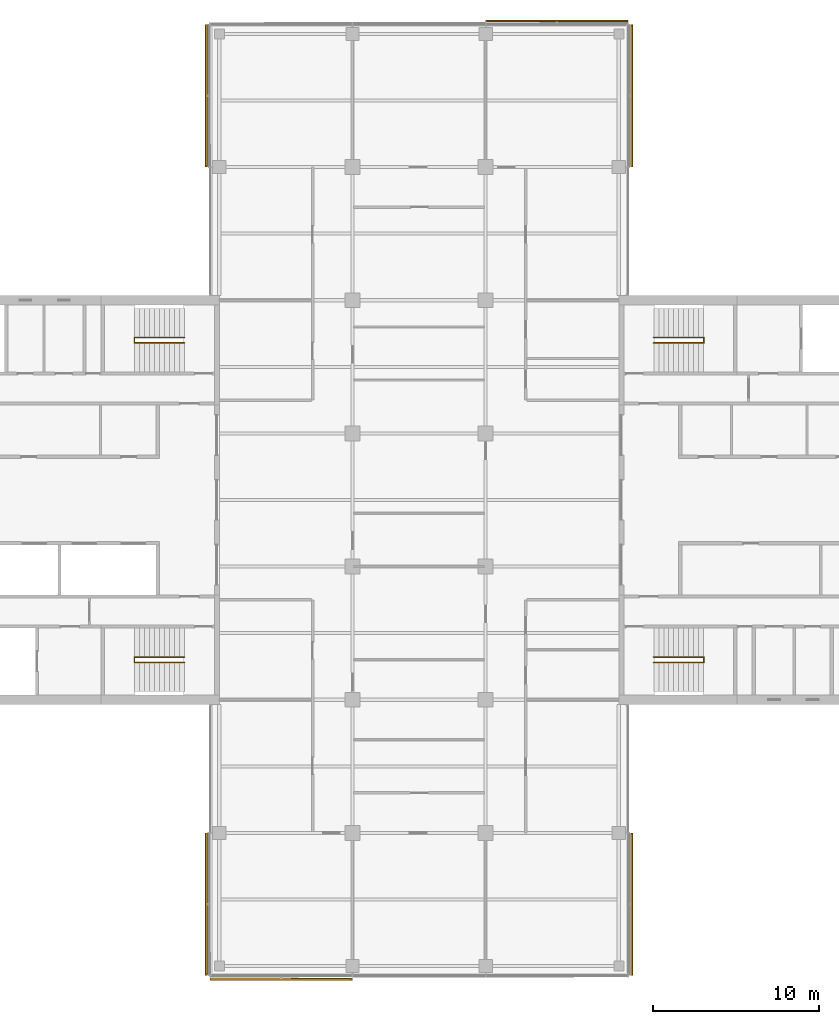
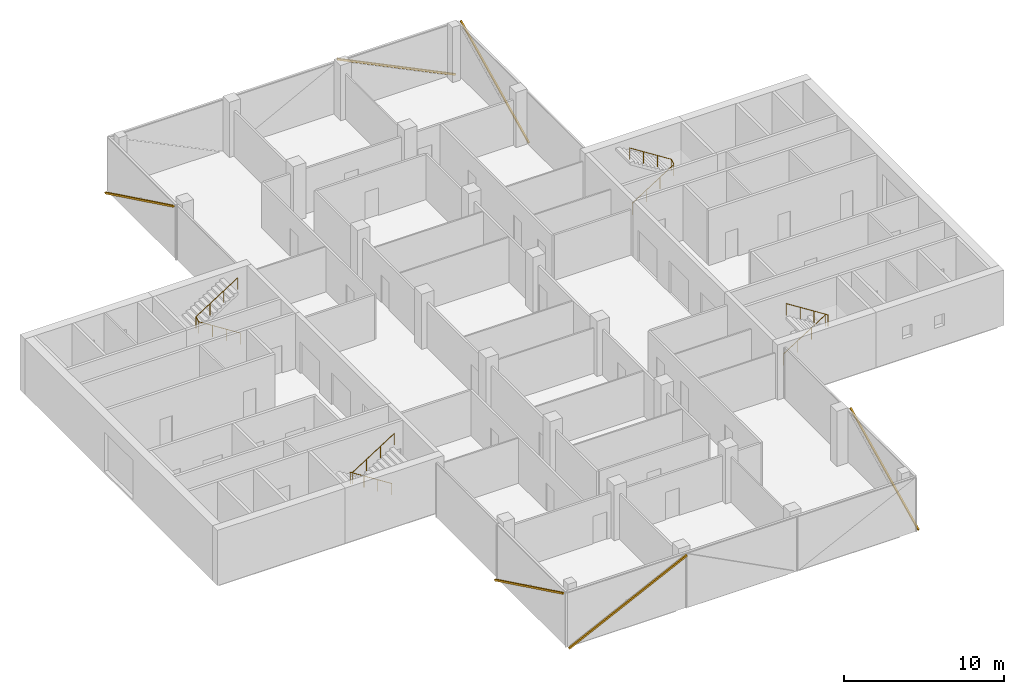
# One storey, part 15 of 15: 6 shading devices, 4 railings, 6 elements without a shape of their own.
"""IFC4 building model written with IfcOpenShell, lengths in metres."""

from ifc_helpers import new_model, si_unit, direction, frame, origin, origin_2d, place, context, subcontext, project, spatial, rectangle, circle, extrude, material, material_profile, profile_set, type_object, element, aggregate, save


model = new_model("IFC4")

# Units and contexts
model_context = context("Model", 3, precision=1e-05, world=origin(), true_north=direction((0.0, 1.0)))
body_context = subcontext(model_context, "Body", "Model", "MODEL_VIEW")
ifc_project = project(units=[si_unit("LENGTHUNIT", "METRE"), si_unit("AREAUNIT", "SQUARE_METRE"), si_unit("VOLUMEUNIT", "CUBIC_METRE"), si_unit("PLANEANGLEUNIT", "RADIAN"), si_unit("MASSUNIT", "GRAM", prefix="KILO")], contexts=[model_context])

# Site, building, storey
site_placement = place(None, origin())
site = spatial("IfcSite", under=ifc_project, at=site_placement, CompositionType="ELEMENT")
building_placement = place(site_placement, origin())
building = spatial("IfcBuilding", under=site, at=building_placement, Name="Crosswind Convention Tower", CompositionType="ELEMENT")
storey_placement = place(building_placement, frame((0.0, 0.0, 195.699951171875)))
storey = spatial("IfcBuildingStorey", under=building, at=storey_placement, Name="L41", CompositionType="ELEMENT", Elevation=195.699951171875)

# Railings
ifc_material_1 = material(Name="Stainless steel", Category="steel")
railing_type = type_object("IfcRailingType", Name="Stair handrail 900", PredefinedType="HANDRAIL", material=ifc_material_1)
railing_1_placement = place(storey_placement, frame((139.10009765625, 109.43994140625, 0.19091796875)))
element("IfcRailing", 1, at=railing_1_placement, inside=storey, type_object=railing_type, Name="Stair ST1 handrail L41", PredefinedType="HANDRAIL", context=body_context, shape_type="SweptSolid", body=[
    extrude(circle(Radius=0.02392578125, at=origin_2d()), frame((0.0, 0.0, 0.8759765625), z_axis=(0.843650179428, 0.0, 0.536893261973), x_axis=(0.0, 1.0, 0.0)), (0.0, 0.0, 1.0), 3.555908203125),
    extrude(circle(Radius=0.02392578125, at=origin_2d()), frame((3.0, 0.0, 2.78515625), z_axis=(0.0, 0.858819504967, 0.512278301208), x_axis=(-1.0, 0.0, 0.0)), (0.0, 0.0, 1.0), 0.372802734375),
    extrude(circle(Radius=0.02392578125, at=origin_2d()), frame((3.0, 0.320068359375, 2.97607421875), z_axis=(-0.843681277094, 0.0, 0.536844393359), x_axis=(0.0, -1.0, 0.0)), (0.0, 0.0, 1.0), 3.555908203125),
    extrude(circle(Radius=0.02099609375, at=origin_2d()), origin(), (0.0, 0.0, 1.0), 0.851806640625),
    extrude(circle(Radius=0.02099609375, at=origin_2d()), frame((1.0, 0.0, 0.636474609375)), (0.0, 0.0, 1.0), 0.851806640625),
    extrude(circle(Radius=0.02099609375, at=origin_2d()), frame((2.0, 0.0, 1.272705078125)), (0.0, 0.0, 1.0), 0.851806640625),
    extrude(circle(Radius=0.02099609375, at=origin_2d()), frame((3.0, 0.0, 1.9091796875)), (0.0, 0.0, 1.0), 0.851806640625),
    extrude(circle(Radius=0.02099609375, at=origin_2d()), frame((3.0, 0.320068359375, 2.10009765625)), (0.0, 0.0, 1.0), 0.851806640625),
    extrude(circle(Radius=0.02099609375, at=origin_2d()), frame((2.0, 0.320068359375, 2.736328125)), (0.0, 0.0, 1.0), 0.851806640625),
    extrude(circle(Radius=0.02099609375, at=origin_2d()), frame((1.0, 0.320068359375, 3.372802734375)), (0.0, 0.0, 1.0), 0.851806640625),
    extrude(circle(Radius=0.02099609375, at=origin_2d()), frame((0.0, 0.320068359375, 4.009033203125)), (0.0, 0.0, 1.0), 0.851806640625),
])
railing_2_placement = place(storey_placement, frame((139.10009765625, 90.56005859375, 0.19091796875)))
element("IfcRailing", 2, at=railing_2_placement, inside=storey, type_object=railing_type, Name="Stair ST2 handrail L41", PredefinedType="HANDRAIL", context=body_context, shape_type="SweptSolid", body=[
    extrude(circle(Radius=0.02392578125, at=origin_2d()), frame((0.0, 0.0, 0.8759765625), z_axis=(0.843650179428, 0.0, 0.536893261973), x_axis=(0.0, 1.0, 0.0)), (0.0, 0.0, 1.0), 3.555908203125),
    extrude(circle(Radius=0.02392578125, at=origin_2d()), frame((3.0, 0.0, 2.78515625), z_axis=(0.0, -0.858819504967, 0.512278301208), x_axis=(1.0, 0.0, 0.0)), (0.0, 0.0, 1.0), 0.372802734375),
    extrude(circle(Radius=0.02392578125, at=origin_2d()), frame((3.0, -0.320068359375, 2.97607421875), z_axis=(-0.843681277094, 0.0, 0.536844393359), x_axis=(0.0, -1.0, 0.0)), (0.0, 0.0, 1.0), 3.555908203125),
    extrude(circle(Radius=0.02099609375, at=origin_2d()), origin(), (0.0, 0.0, 1.0), 0.851806640625),
    extrude(circle(Radius=0.02099609375, at=origin_2d()), frame((1.0, 0.0, 0.636474609375)), (0.0, 0.0, 1.0), 0.851806640625),
    extrude(circle(Radius=0.02099609375, at=origin_2d()), frame((2.0, 0.0, 1.272705078125)), (0.0, 0.0, 1.0), 0.851806640625),
    extrude(circle(Radius=0.02099609375, at=origin_2d()), frame((3.0, 0.0, 1.9091796875)), (0.0, 0.0, 1.0), 0.851806640625),
    extrude(circle(Radius=0.02099609375, at=origin_2d()), frame((3.0, -0.320068359375, 2.10009765625)), (0.0, 0.0, 1.0), 0.851806640625),
    extrude(circle(Radius=0.02099609375, at=origin_2d()), frame((2.0, -0.320068359375, 2.736328125)), (0.0, 0.0, 1.0), 0.851806640625),
    extrude(circle(Radius=0.02099609375, at=origin_2d()), frame((1.0, -0.320068359375, 3.372802734375)), (0.0, 0.0, 1.0), 0.851806640625),
    extrude(circle(Radius=0.02099609375, at=origin_2d()), frame((0.0, -0.320068359375, 4.009033203125)), (0.0, 0.0, 1.0), 0.851806640625),
])
railing_3_placement = place(storey_placement, frame((110.89990234375, 90.56005859375, 0.19091796875)))
element("IfcRailing", 3, at=railing_3_placement, inside=storey, type_object=railing_type, Name="Stair ST3 handrail L41", PredefinedType="HANDRAIL", context=body_context, shape_type="SweptSolid", body=[
    extrude(circle(Radius=0.02392578125, at=origin_2d()), frame((0.0, 0.0, 0.8759765625), z_axis=(-0.843650179428, 0.0, 0.536893261973), x_axis=(0.0, -1.0, 0.0)), (0.0, 0.0, 1.0), 3.555908203125),
    extrude(circle(Radius=0.02392578125, at=origin_2d()), frame((-3.0, 0.0, 2.78515625), z_axis=(0.0, -0.858819504967, 0.512278301208), x_axis=(1.0, 0.0, 0.0)), (0.0, 0.0, 1.0), 0.372802734375),
    extrude(circle(Radius=0.02392578125, at=origin_2d()), frame((-3.0, -0.320068359375, 2.97607421875), z_axis=(0.843681277094, 0.0, 0.536844393359), x_axis=(0.0, 1.0, 0.0)), (0.0, 0.0, 1.0), 3.555908203125),
    extrude(circle(Radius=0.02099609375, at=origin_2d()), origin(), (0.0, 0.0, 1.0), 0.851806640625),
    extrude(circle(Radius=0.02099609375, at=origin_2d()), frame((-1.0, 0.0, 0.636474609375)), (0.0, 0.0, 1.0), 0.851806640625),
    extrude(circle(Radius=0.02099609375, at=origin_2d()), frame((-2.0, 0.0, 1.272705078125)), (0.0, 0.0, 1.0), 0.851806640625),
    extrude(circle(Radius=0.02099609375, at=origin_2d()), frame((-3.0, 0.0, 1.9091796875)), (0.0, 0.0, 1.0), 0.851806640625),
    extrude(circle(Radius=0.02099609375, at=origin_2d()), frame((-3.0, -0.320068359375, 2.10009765625)), (0.0, 0.0, 1.0), 0.851806640625),
    extrude(circle(Radius=0.02099609375, at=origin_2d()), frame((-2.0, -0.320068359375, 2.736328125)), (0.0, 0.0, 1.0), 0.851806640625),
    extrude(circle(Radius=0.02099609375, at=origin_2d()), frame((-1.0, -0.320068359375, 3.372802734375)), (0.0, 0.0, 1.0), 0.851806640625),
    extrude(circle(Radius=0.02099609375, at=origin_2d()), frame((0.0, -0.320068359375, 4.009033203125)), (0.0, 0.0, 1.0), 0.851806640625),
])
railing_4_placement = place(storey_placement, frame((110.89990234375, 109.43994140625, 0.19091796875)))
element("IfcRailing", 4, at=railing_4_placement, inside=storey, type_object=railing_type, Name="Stair ST4 handrail L41", PredefinedType="HANDRAIL", context=body_context, shape_type="SweptSolid", body=[
    extrude(circle(Radius=0.02392578125, at=origin_2d()), frame((0.0, 0.0, 0.8759765625), z_axis=(-0.843650179428, 0.0, 0.536893261973), x_axis=(0.0, -1.0, 0.0)), (0.0, 0.0, 1.0), 3.555908203125),
    extrude(circle(Radius=0.02392578125, at=origin_2d()), frame((-3.0, 0.0, 2.78515625), z_axis=(0.0, 0.858819504967, 0.512278301208), x_axis=(-1.0, 0.0, 0.0)), (0.0, 0.0, 1.0), 0.372802734375),
    extrude(circle(Radius=0.02392578125, at=origin_2d()), frame((-3.0, 0.320068359375, 2.97607421875), z_axis=(0.843681277094, 0.0, 0.536844393359), x_axis=(0.0, 1.0, 0.0)), (0.0, 0.0, 1.0), 3.555908203125),
    extrude(circle(Radius=0.02099609375, at=origin_2d()), origin(), (0.0, 0.0, 1.0), 0.851806640625),
    extrude(circle(Radius=0.02099609375, at=origin_2d()), frame((-1.0, 0.0, 0.636474609375)), (0.0, 0.0, 1.0), 0.851806640625),
    extrude(circle(Radius=0.02099609375, at=origin_2d()), frame((-2.0, 0.0, 1.272705078125)), (0.0, 0.0, 1.0), 0.851806640625),
    extrude(circle(Radius=0.02099609375, at=origin_2d()), frame((-3.0, 0.0, 1.9091796875)), (0.0, 0.0, 1.0), 0.851806640625),
    extrude(circle(Radius=0.02099609375, at=origin_2d()), frame((-3.0, 0.320068359375, 2.10009765625)), (0.0, 0.0, 1.0), 0.851806640625),
    extrude(circle(Radius=0.02099609375, at=origin_2d()), frame((-2.0, 0.320068359375, 2.736328125)), (0.0, 0.0, 1.0), 0.851806640625),
    extrude(circle(Radius=0.02099609375, at=origin_2d()), frame((-1.0, 0.320068359375, 3.372802734375)), (0.0, 0.0, 1.0), 0.851806640625),
    extrude(circle(Radius=0.02099609375, at=origin_2d()), frame((0.0, 0.320068359375, 4.009033203125)), (0.0, 0.0, 1.0), 0.851806640625),
])

# Curtain wall, shading device
ifc_material_2 = material(Name="Aluminium unitised curtain wall", Category="aluminium")
curtain_wall_type = type_object("IfcCurtainWallType", Name="OFFICE UNITISED WALL 220", PredefinedType="USERDEFINED", material=ifc_material_2)
curtain_wall_1_placement = place(storey_placement, origin())
curtain_wall_1 = element("IfcCurtainWall", 5, at=curtain_wall_1_placement, inside=storey, type_object=curtain_wall_type, Name="CW3 L41 N-E 1", ObjectType="UNITISED", PredefinedType="USERDEFINED")
ifc_material_3 = material(Name="Extruded terracotta", Category="masonry")
ifc_material_profile = material_profile(ifc_material_3, rectangle(XDim=0.110107421875, YDim=0.1298828125, at=origin_2d()), Name="TC 110X130")
ifc_profile_set = profile_set([ifc_material_profile], Name="Extruded terracotta")
shading_device_type = type_object("IfcShadingDeviceType", Name="TERRACOTTA BAGUETTE 130X110", PredefinedType="USERDEFINED", material=ifc_profile_set)
shading_device_1_placement = place(storey_placement, frame((137.781005859375, 120.034912109375, -0.300048828125), z_axis=(0.0, 0.899240862228, 0.437453850936), x_axis=(-1.0, 0.0, 0.0)))
shading_device_1 = element("IfcShadingDevice", 6, at=shading_device_1_placement, type_object=shading_device_type, Name="CW3 terracotta baguette 1", ObjectType="BAGUETTE", PredefinedType="USERDEFINED", context=body_context, shape_type="SweptSolid", body=[
    extrude(rectangle(XDim=0.110107421875, YDim=0.1298828125, at=origin_2d()), origin(), (0.0, 0.0, 1.0), 9.44140625),
])
aggregate(curtain_wall_1, [shading_device_1])

curtain_wall_2_placement = place(storey_placement, origin())
curtain_wall_2 = element("IfcCurtainWall", 7, at=curtain_wall_2_placement, inside=storey, type_object=curtain_wall_type, Name="CW3 L41 N-TIP 1", ObjectType="UNITISED", PredefinedType="USERDEFINED")
shading_device_2_placement = place(storey_placement, frame((137.52490234375, 128.781005859375, -0.300048828125), z_axis=(-0.899240862228, 0.0, 0.437453850936), x_axis=(0.0, -1.0, 0.0)))
shading_device_2 = element("IfcShadingDevice", 8, at=shading_device_2_placement, type_object=shading_device_type, Name="CW3 terracotta baguette 1", ObjectType="BAGUETTE", PredefinedType="USERDEFINED", context=body_context, shape_type="SweptSolid", body=[
    extrude(rectangle(XDim=0.110107421875, YDim=0.1298828125, at=origin_2d()), origin(), (0.0, 0.0, 1.0), 9.44140625),
])
aggregate(curtain_wall_2, [shading_device_2])

curtain_wall_3_placement = place(storey_placement, origin())
curtain_wall_3 = element("IfcCurtainWall", 9, at=curtain_wall_3_placement, inside=storey, type_object=curtain_wall_type, Name="CW3 L41 N-W 1", ObjectType="UNITISED", PredefinedType="USERDEFINED")
shading_device_3_placement = place(storey_placement, frame((112.218994140625, 128.52490234375, -0.300048828125), z_axis=(0.0, -0.899240862228, 0.437453850936), x_axis=(1.0, 0.0, 0.0)))
shading_device_3 = element("IfcShadingDevice", 10, at=shading_device_3_placement, type_object=shading_device_type, Name="CW3 terracotta baguette 1", ObjectType="BAGUETTE", PredefinedType="USERDEFINED", context=body_context, shape_type="SweptSolid", body=[
    extrude(rectangle(XDim=0.110107421875, YDim=0.1298828125, at=origin_2d()), origin(), (0.0, 0.0, 1.0), 9.44140625),
])
aggregate(curtain_wall_3, [shading_device_3])

curtain_wall_4_placement = place(storey_placement, origin())
curtain_wall_4 = element("IfcCurtainWall", 11, at=curtain_wall_4_placement, inside=storey, type_object=curtain_wall_type, Name="CW3 L41 S-W 1", ObjectType="UNITISED", PredefinedType="USERDEFINED")
shading_device_4_placement = place(storey_placement, frame((112.218994140625, 79.965087890625, -0.300048828125), z_axis=(0.0, -0.899240862228, 0.437453850936), x_axis=(1.0, 0.0, 0.0)))
shading_device_4 = element("IfcShadingDevice", 12, at=shading_device_4_placement, type_object=shading_device_type, Name="CW3 terracotta baguette 1", ObjectType="BAGUETTE", PredefinedType="USERDEFINED", context=body_context, shape_type="SweptSolid", body=[
    extrude(rectangle(XDim=0.110107421875, YDim=0.1298828125, at=origin_2d()), origin(), (0.0, 0.0, 1.0), 9.44140625),
])
aggregate(curtain_wall_4, [shading_device_4])

curtain_wall_5_placement = place(storey_placement, origin())
curtain_wall_5 = element("IfcCurtainWall", 13, at=curtain_wall_5_placement, inside=storey, type_object=curtain_wall_type, Name="CW3 L41 S-TIP 1", ObjectType="UNITISED", PredefinedType="USERDEFINED")
shading_device_5_placement = place(storey_placement, frame((112.47509765625, 71.218994140625, -0.300048828125), z_axis=(0.899240862228, 0.0, 0.437453850936), x_axis=(0.0, 1.0, 0.0)))
shading_device_5 = element("IfcShadingDevice", 14, at=shading_device_5_placement, type_object=shading_device_type, Name="CW3 terracotta baguette 1", ObjectType="BAGUETTE", PredefinedType="USERDEFINED", context=body_context, shape_type="SweptSolid", body=[
    extrude(rectangle(XDim=0.110107421875, YDim=0.1298828125, at=origin_2d()), origin(), (0.0, 0.0, 1.0), 9.44140625),
])
aggregate(curtain_wall_5, [shading_device_5])

curtain_wall_6_placement = place(storey_placement, origin())
curtain_wall_6 = element("IfcCurtainWall", 15, at=curtain_wall_6_placement, inside=storey, type_object=curtain_wall_type, Name="CW3 L41 S-E 1", ObjectType="UNITISED", PredefinedType="USERDEFINED")
shading_device_6_placement = place(storey_placement, frame((137.781005859375, 71.47509765625, -0.300048828125), z_axis=(0.0, 0.899240862228, 0.437453850936), x_axis=(-1.0, 0.0, 0.0)))
shading_device_6 = element("IfcShadingDevice", 16, at=shading_device_6_placement, type_object=shading_device_type, Name="CW3 terracotta baguette 1", ObjectType="BAGUETTE", PredefinedType="USERDEFINED", context=body_context, shape_type="SweptSolid", body=[
    extrude(rectangle(XDim=0.110107421875, YDim=0.1298828125, at=origin_2d()), origin(), (0.0, 0.0, 1.0), 9.44140625),
])
aggregate(curtain_wall_6, [shading_device_6])

save(model, "model.ifc")
